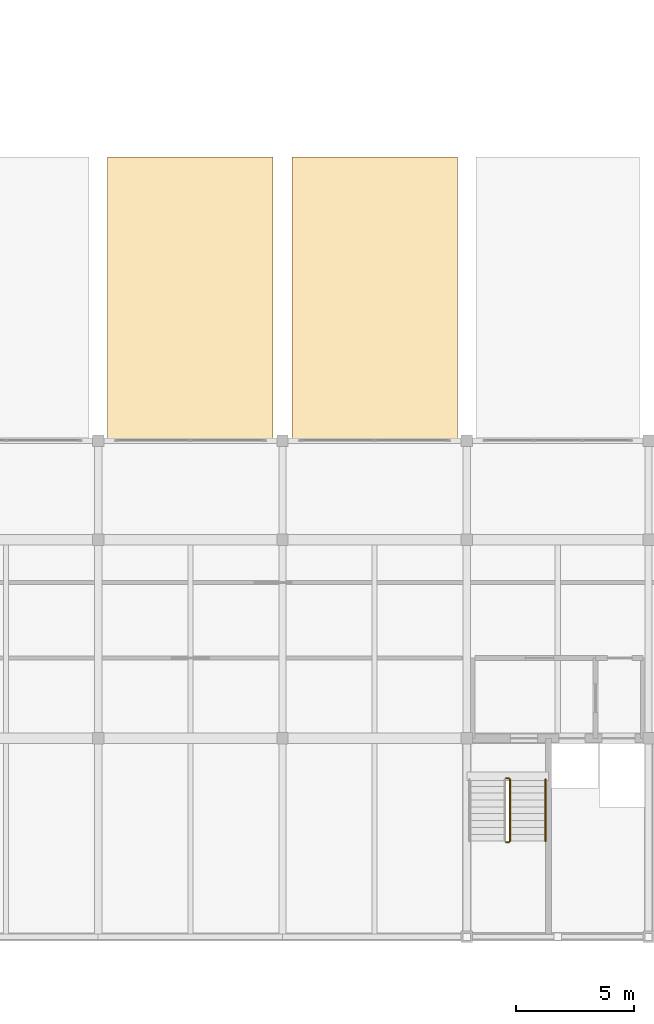
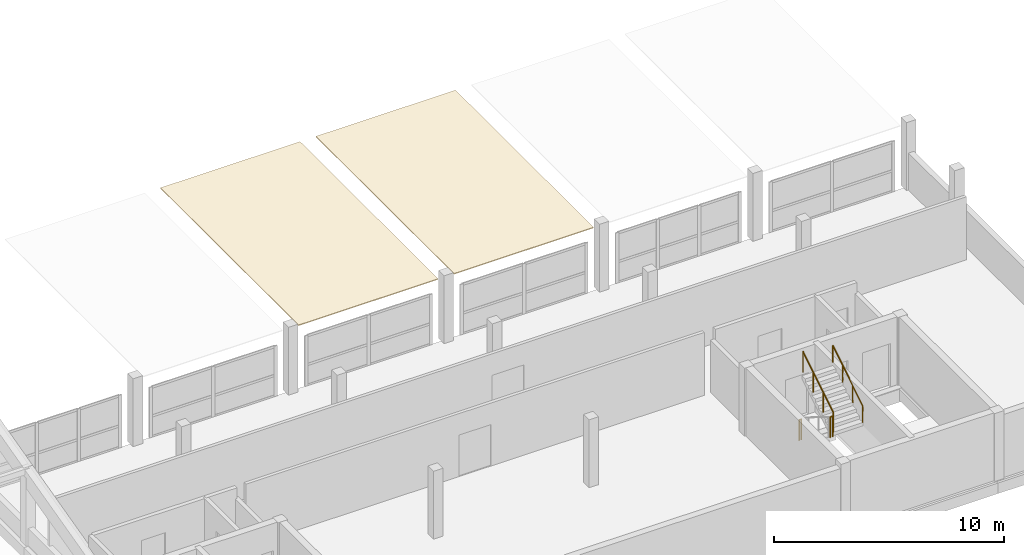
# One storey, part 50 of 51: 4 railings, 2 coverings.
"""IFC4 building model written with IfcOpenShell, lengths in metres."""

from ifc_helpers import new_model, si_unit, direction, frame, origin, origin_2d, place, context, subcontext, project, spatial, polyline, circle, outline, extrude, material, layer, layer_set, type_object, element, save


model = new_model("IFC4")

# Units and contexts
model_context = context("Model", 3, precision=1e-05, world=origin(), true_north=direction((0.0, 1.0)))
body_context = subcontext(model_context, "Body", "Model", "MODEL_VIEW")
ifc_project = project(units=[si_unit("LENGTHUNIT", "METRE"), si_unit("AREAUNIT", "SQUARE_METRE"), si_unit("VOLUMEUNIT", "CUBIC_METRE"), si_unit("PLANEANGLEUNIT", "RADIAN"), si_unit("MASSUNIT", "GRAM", prefix="KILO")], contexts=[model_context])

# Site, building, storey
site_placement = place(None, origin())
site = spatial("IfcSite", under=ifc_project, at=site_placement, CompositionType="ELEMENT")
building_placement = place(site_placement, origin())
building = spatial("IfcBuilding", under=site, at=building_placement, Name="Vharandega Faculty of Natural Sciences", CompositionType="ELEMENT")
storey_placement = place(building_placement, frame((0.0, 0.0, 18.0)))
storey = spatial("IfcBuildingStorey", under=building, at=storey_placement, Name="L04", CompositionType="ELEMENT", Elevation=18.0)

# Railings
ifc_material_1 = material(Name="Brushed stainless steel handrail", Category="steel")
railing_type_1 = type_object("IfcRailingType", Name="Stair Tubular Handrail 900", PredefinedType="HANDRAIL", material=ifc_material_1)
railing_1_placement = place(storey_placement, frame((149.330078125, 68.050048828125, 1.97998046875)))
element("IfcRailing", 1, at=railing_1_placement, inside=storey, type_object=railing_type_1, Name="L04 ST2 stair handrail 2", PredefinedType="HANDRAIL", context=body_context, shape_type="SweptSolid", body=[
    extrude(circle(Radius=0.02392578125, at=origin_2d()), frame((0.0, 0.0, 0.8759765625), z_axis=(0.0, 0.849610693518, 0.52741034258), x_axis=(-1.0, 0.0, 0.0)), (0.0, 0.0, 1.0), 3.07177734375),
    extrude(circle(Radius=0.02099609375, at=origin_2d()), origin(), (0.0, 0.0, 1.0), 0.851806640625),
    extrude(circle(Radius=0.02099609375, at=origin_2d()), frame((0.0, 0.869873046875, 0.5400390625)), (0.0, 0.0, 1.0), 0.851806640625),
    extrude(circle(Radius=0.02099609375, at=origin_2d()), frame((0.0, 1.739990234375, 1.080078125)), (0.0, 0.0, 1.0), 0.851806640625),
    extrude(circle(Radius=0.02099609375, at=origin_2d()), frame((0.0, 2.60986328125, 1.6201171875)), (0.0, 0.0, 1.0), 0.851806640625),
])
ifc_material_2 = material(Name="Painted steel stair guardrail", Category="steel")
railing_type_2 = type_object("IfcRailingType", Name="Stairwell Steel Guardrail 1100", PredefinedType="GUARDRAIL", material=ifc_material_2)
railing_2_placement = place(storey_placement, frame((147.659912109375, 68.0, 1.800048828125)))
element("IfcRailing", 2, at=railing_2_placement, inside=storey, type_object=railing_type_2, Name="L04 ST2 stair guard 2", PredefinedType="GUARDRAIL", context=body_context, shape_type="SweptSolid", body=[
    extrude(circle(Radius=0.02392578125, at=origin_2d()), frame((0.0, 0.0, 1.076171875), z_axis=(1.0, 0.0, 0.0), x_axis=(0.0, 1.0, 0.0)), (0.0, 0.0, 1.0), 0.1201171875),
    extrude(circle(Radius=0.02099609375, at=origin_2d()), origin(), (0.0, 0.0, 1.0), 1.052001953125),
    extrude(circle(Radius=0.02099609375, at=origin_2d()), frame((0.1201171875, 0.0, 0.0)), (0.0, 0.0, 1.0), 1.052001953125),
])
railing_3_placement = place(storey_placement, frame((147.830078125, 68.050048828125, 1.97998046875)))
element("IfcRailing", 3, at=railing_3_placement, inside=storey, type_object=railing_type_2, Name="L04 ST2 stair guard 3", PredefinedType="GUARDRAIL", context=body_context, shape_type="SweptSolid", body=[
    extrude(circle(Radius=0.02392578125, at=origin_2d()), frame((0.0, 0.0, 1.076171875), z_axis=(0.0, 0.849610693518, 0.52741034258), x_axis=(-1.0, 0.0, 0.0)), (0.0, 0.0, 1.0), 3.07177734375),
    extrude(circle(Radius=0.02099609375, at=origin_2d()), origin(), (0.0, 0.0, 1.0), 1.052001953125),
    extrude(circle(Radius=0.02099609375, at=origin_2d()), frame((0.0, 0.869873046875, 0.5400390625)), (0.0, 0.0, 1.0), 1.052001953125),
    extrude(circle(Radius=0.02099609375, at=origin_2d()), frame((0.0, 1.739990234375, 1.080078125)), (0.0, 0.0, 1.0), 1.052001953125),
    extrude(circle(Radius=0.02099609375, at=origin_2d()), frame((0.0, 2.60986328125, 1.6201171875)), (0.0, 0.0, 1.0), 1.052001953125),
])
railing_4_placement = place(storey_placement, frame((147.659912109375, 70.7099609375, 0.0)))
element("IfcRailing", 4, at=railing_4_placement, inside=storey, type_object=railing_type_2, Name="L04 ST2 stair guard 4", PredefinedType="GUARDRAIL", context=body_context, shape_type="SweptSolid", body=[
    extrude(circle(Radius=0.02392578125, at=origin_2d()), frame((0.0, 0.0, 1.076171875), z_axis=(1.0, 0.0, 0.0), x_axis=(0.0, 1.0, 0.0)), (0.0, 0.0, 1.0), 0.1201171875),
    extrude(circle(Radius=0.02099609375, at=origin_2d()), origin(), (0.0, 0.0, 1.0), 1.052001953125),
    extrude(circle(Radius=0.02099609375, at=origin_2d()), frame((0.1201171875, 0.0, 0.0)), (0.0, 0.0, 1.0), 1.052001953125),
])

# Coverings
ifc_material_3 = material(Name="Warm amber spruce timber soffit boarding", Category="wood")
ifc_layer = layer(ifc_material_3, 0.044921875, Name="Warm amber spruce timber soffit boarding")
ifc_layer_set = layer_set([ifc_layer], Name="Warm amber spruce timber soffit boarding")
covering_type = type_object("IfcCoveringType", Name="Warm Amber Spruce Soffit Boarding", PredefinedType="CEILING", material=ifc_layer_set)
covering_1_placement = place(storey_placement, frame((0.0, 0.0, 3.31494140625)))
element("IfcCovering", 5, at=covering_1_placement, inside=storey, type_object=covering_type, Name="Cantilever Warm Amber Timber Soffit Bay 2", PredefinedType="CEILING", context=body_context, shape_type="SweptSolid", body=[
    extrude(outline(polyline([(130.800048828125, 85.0), (137.800048828125, 85.0), (137.800048828125, 97.0), (130.800048828125, 97.0), (130.800048828125, 85.0)])), origin(), (0.0, 0.0, 1.0), 0.045166015625),
])
covering_2_placement = place(storey_placement, frame((0.0, 0.0, 3.31494140625)))
element("IfcCovering", 6, at=covering_2_placement, inside=storey, type_object=covering_type, Name="Cantilever Warm Amber Timber Soffit Bay 3", PredefinedType="CEILING", context=body_context, shape_type="SweptSolid", body=[
    extrude(outline(polyline([(138.60009765625, 85.0), (145.60009765625, 85.0), (145.60009765625, 97.0), (138.60009765625, 97.0), (138.60009765625, 85.0)])), origin(), (0.0, 0.0, 1.0), 0.045166015625),
])

save(model, "model.ifc")
